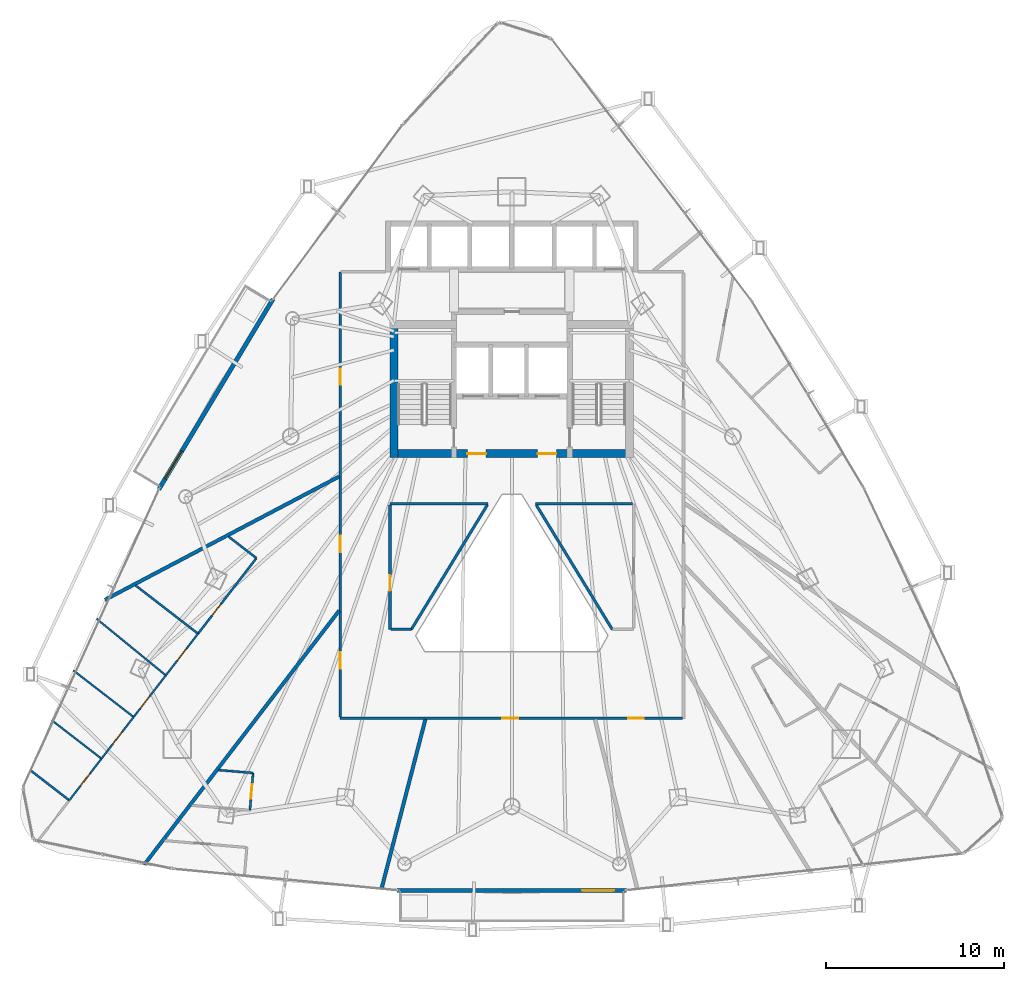
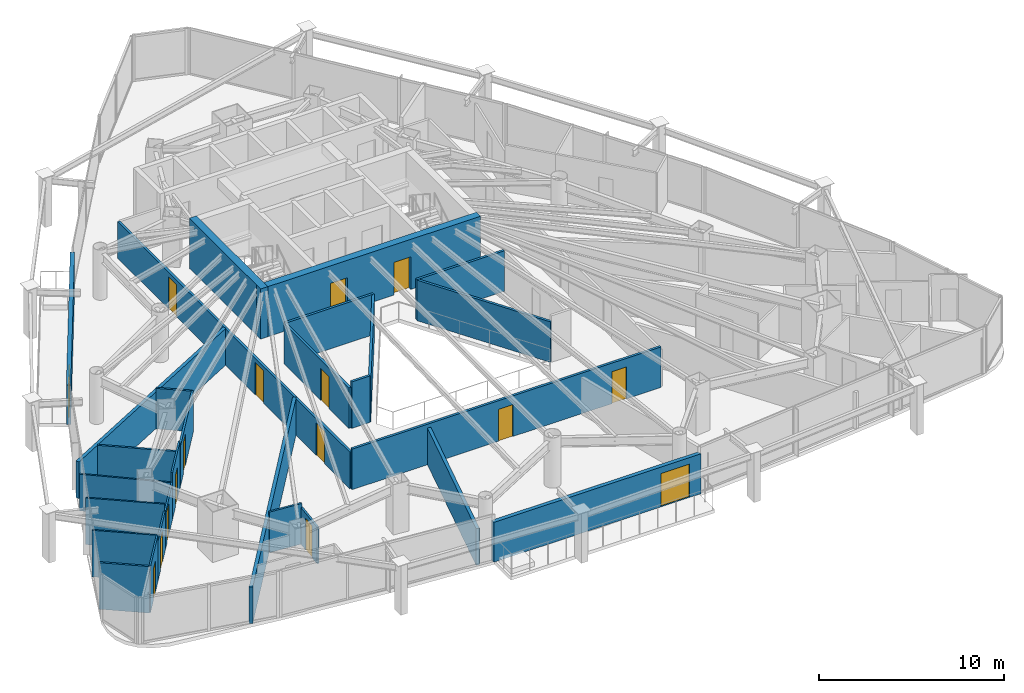
# One storey, part 29 of 34: 28 walls, 16 doors, 16 openings.
"""IFC4 building model written with IfcOpenShell, lengths in metres."""

import ifcopenshell
import ifcopenshell.guid

model = None  # the IFC model being written
_history = None  # IfcOwnerHistory: only IFC2X3 demands one
_inside = {}  # id of a spatial element -> (the spatial element, [elements in it])
_under = {}  # id of a project, library or spatial element -> (it, [spatial elements below it])
_declared = {}  # id of a project -> (the project, [libraries it declares])
_typed = {}  # id of a type object -> (the type object, [elements of that type])
_made_of = {}  # id of a material, layer set ... -> (it, [elements and type objects made of it])


def new_model(schema):
    """Start an empty IFC model of exactly this schema.

    Asked for "IFC4X3", IfcOpenShell would pick the latest addendum, in which some entities
    have other attributes; the version numbers below select the first issue.
    IFC2X3 requires an IfcOwnerHistory on every rooted entity: one is made here for all.
    """
    global model, _history
    if schema == "IFC4X3":
        model = ifcopenshell.file(schema_version=(4, 3, 0, 0))
    else:
        model = ifcopenshell.file(schema=schema)
    _inside.clear()
    _under.clear()
    _declared.clear()
    _typed.clear()
    _made_of.clear()
    _history = None
    if model.schema == "IFC2X3":
        org = make("IfcOrganization", Name="unknown")
        user = make(
            "IfcPersonAndOrganization",
            ThePerson=make("IfcPerson", FamilyName="unknown"),
            TheOrganization=org,
        )
        app = make(
            "IfcApplication",
            ApplicationDeveloper=org,
            Version="unknown",
            ApplicationFullName="unknown",
            ApplicationIdentifier="unknown",
        )
        _history = make(
            "IfcOwnerHistory",
            OwningUser=user,
            OwningApplication=app,
            ChangeAction="ADDED",
            CreationDate=0,
        )
    return model


def make(cls, **values):
    """One entity of the class cls with the attributes given. An attribute that is None is left unset."""
    return model.create_entity(
        cls, **{name: value for name, value in values.items() if value is not None}
    )


def rooted(cls, **values):
    """An entity with a GlobalId (a new one), such as an element, a storey or a relation."""
    return make(cls, GlobalId=ifcopenshell.guid.new(), OwnerHistory=_history, **values)


def si_unit(unit_type, name, prefix=None):
    """IfcSIUnit, for example si_unit("LENGTHUNIT", "METRE", prefix="MILLI")."""
    return make("IfcSIUnit", UnitType=unit_type, Prefix=prefix, Name=name)


def assignment(units):
    """IfcUnitAssignment: the units of a project."""
    return None if units is None else make("IfcUnitAssignment", Units=units)


def point(xyz):
    """IfcCartesianPoint."""
    return None if xyz is None else make("IfcCartesianPoint", Coordinates=xyz)


def direction(xyz):
    """IfcDirection."""
    return None if xyz is None else make("IfcDirection", DirectionRatios=xyz)


def frame(location, z_axis=None, x_axis=None):
    """IfcAxis2Placement3D, a coordinate frame: its origin and axes. An axis left out is left unset."""
    return make(
        "IfcAxis2Placement3D",
        Location=point(location),
        Axis=direction(z_axis),
        RefDirection=direction(x_axis),
    )


def frame_2d(location, x_axis=None):
    """IfcAxis2Placement2D, a coordinate frame in the plane: its origin and x axis."""
    return make(
        "IfcAxis2Placement2D", Location=point(location), RefDirection=direction(x_axis)
    )


def origin():
    """The frame at (0, 0, 0) with its axes left unset."""
    return frame((0.0, 0.0, 0.0))


def place(relative_to, where):
    """IfcLocalPlacement: puts the frame where relative to a parent placement (None: the world)."""
    return make(
        "IfcLocalPlacement", PlacementRelTo=relative_to, RelativePlacement=where
    )


def context(
    kind, dimensions, precision=None, world=None, true_north=None, identifier=None
):
    """IfcGeometricRepresentationContext, for example the 3D "Model" context."""
    return make(
        "IfcGeometricRepresentationContext",
        ContextIdentifier=identifier,
        ContextType=kind,
        CoordinateSpaceDimension=dimensions,
        Precision=precision,
        WorldCoordinateSystem=world,
        TrueNorth=true_north,
    )


def subcontext(parent, identifier, kind, view, scale=None):
    """IfcGeometricRepresentationSubContext, for example "Body" below "Model"."""
    return make(
        "IfcGeometricRepresentationSubContext",
        ContextIdentifier=identifier,
        ContextType=kind,
        ParentContext=parent,
        TargetScale=scale,
        TargetView=view,
    )


def project(units=None, contexts=None):
    """IfcProject with its units and contexts."""
    return rooted(
        "IfcProject",
        Name="project",
        RepresentationContexts=contexts,
        UnitsInContext=assignment(units),
    )


def spatial(cls, under=None, at=None, **own):
    """A site, building, storey or space (cls), placed at a placement, below another one or the project."""
    s = rooted(cls, ObjectPlacement=at, **own)
    if under is not None:
        _under.setdefault(under.id(), (under, []))[1].append(s)
    return s


def profile(cls, at=None, kind="AREA", **sizes):
    """A parametric profile (cls). Its sizes go by their IFC names, for example OverallWidth=200.0."""
    return make(cls, ProfileType=kind, Position=at, **sizes)


def rectangle(**sizes):
    """IfcRectangleProfileDef."""
    return profile("IfcRectangleProfileDef", **sizes)


def extrude(swept, where, along, depth):
    """IfcExtrudedAreaSolid: the profile swept, set in the frame where, extruded along a direction by depth."""
    return make(
        "IfcExtrudedAreaSolid",
        SweptArea=swept,
        Position=where,
        ExtrudedDirection=direction(along),
        Depth=depth,
    )


def shape(context_of_items, identifier, shape_type, items):
    """IfcShapeRepresentation: the items that make up one representation, for example the "Body"."""
    return make(
        "IfcShapeRepresentation",
        ContextOfItems=context_of_items,
        RepresentationIdentifier=identifier,
        RepresentationType=shape_type,
        Items=items,
    )


def material(Name=None, Category=None):
    """IfcMaterial."""
    return make("IfcMaterial", Name=Name, Category=Category)


def layer(
    of_material, thickness, ventilated=None, Name=None, Category=None, Priority=None
):
    """IfcMaterialLayer: one layer of a wall or slab, of a material (None: an air gap)."""
    return make(
        "IfcMaterialLayer",
        Material=of_material,
        LayerThickness=thickness,
        IsVentilated=ventilated,
        Name=Name,
        Category=Category,
        Priority=Priority,
    )


def layer_set(layers, Name=None):
    """IfcMaterialLayerSet."""
    return make("IfcMaterialLayerSet", MaterialLayers=layers, LayerSetName=Name)


def made_of(thing, what):
    """Note that an element or type object is made of a material, layer set ...; save() writes the relation."""
    if what is not None:
        _made_of.setdefault(what.id(), (what, []))[1].append(thing)
    return thing


def type_object(cls, material=None, **own):
    """A type object (cls), such as IfcWallType, which elements share."""
    return made_of(rooted(cls, **own), material)


def element(
    cls,
    number,
    at=None,
    inside=None,
    cuts=None,
    type_object=None,
    material=None,
    context=None,
    identifier="Body",
    shape_type=None,
    held_by="IfcProductDefinitionShape",
    body=None,
    shapes=None,
    **own,
):
    """One element of the class cls, such as IfcWall. Its Tag is "e" and its number.

    at: its placement. inside: the storey or other place that contains it. cuts: it is an
    opening in that element (IfcRelVoidsElement). A single representation is given by context,
    identifier, shape_type and body (its items); several are given by shapes. held_by: the class
    of the entity that holds the representations. save() writes the other relations.
    """
    e = rooted(cls, Tag="e%d" % number, ObjectPlacement=at, **own)
    if body is not None:
        shapes = [shape(context, identifier, shape_type, body)]
    if shapes is not None:
        e.Representation = make(held_by, Representations=shapes)
    if inside is not None:
        _inside.setdefault(inside.id(), (inside, []))[1].append(e)
    if cuts is not None:
        rooted(
            "IfcRelVoidsElement", RelatingBuildingElement=cuts, RelatedOpeningElement=e
        )
    if type_object is not None:
        _typed.setdefault(type_object.id(), (type_object, []))[1].append(e)
    return made_of(e, material)


def fill(opening, filler):
    """IfcRelFillsElement: the door or window that sits in an opening."""
    return rooted(
        "IfcRelFillsElement",
        RelatingOpeningElement=opening,
        RelatedBuildingElement=filler,
    )


def aggregate(whole, parts):
    """IfcRelAggregates: a whole, such as a stair, and the parts it consists of."""
    return rooted("IfcRelAggregates", RelatingObject=whole, RelatedObjects=parts)


def save(model, path):
    """Write the relations noted so far, then the file.

    IfcRelAggregates (storeys below a building ...), IfcRelContainedInSpatialStructure (elements
    in a storey), IfcRelDefinesByType, IfcRelAssociatesMaterial and IfcRelDeclares: one each for
    every whole, place, type object, material and project.
    """
    for whole, parts in _under.values():
        aggregate(whole, parts)
    for where, things in _inside.values():
        rooted(
            "IfcRelContainedInSpatialStructure",
            RelatedElements=things,
            RelatingStructure=where,
        )
    for kind, things in _typed.values():
        rooted("IfcRelDefinesByType", RelatedObjects=things, RelatingType=kind)
    for what, things in _made_of.values():
        rooted("IfcRelAssociatesMaterial", RelatedObjects=things, RelatingMaterial=what)
    for by, libraries in _declared.values():
        rooted("IfcRelDeclares", RelatingContext=by, RelatedDefinitions=libraries)
    model.write(path)


model = new_model("IFC4")

# Units and contexts
model_context = context("Model", 3, precision=1e-05, world=origin(), true_north=direction((0.0, 1.0)))
body_context = subcontext(model_context, "Body", "Model", "MODEL_VIEW")
ifc_project = project(units=[si_unit("LENGTHUNIT", "METRE"), si_unit("AREAUNIT", "SQUARE_METRE"), si_unit("VOLUMEUNIT", "CUBIC_METRE"), si_unit("PLANEANGLEUNIT", "RADIAN"), si_unit("MASSUNIT", "GRAM", prefix="KILO")], contexts=[model_context])

# Site, building, storey
site_placement = place(None, origin())
site = spatial("IfcSite", under=ifc_project, at=site_placement, CompositionType="ELEMENT")
building_placement = place(site_placement, origin())
building = spatial("IfcBuilding", under=site, at=building_placement, Name="Orvanel Arch Residences", CompositionType="ELEMENT")
storey_placement = place(building_placement, frame((0.0, 0.0, 80.75)))
storey = spatial("IfcBuildingStorey", under=building, at=storey_placement, Name="L22", CompositionType="ELEMENT", Elevation=80.75)

# Wall, opening, door
ifc_material_1 = material(Name="Precast concrete N50 (50 MPa)", Category="concrete")
ifc_layer_1 = layer(ifc_material_1, 0.239990234375)
ifc_layer_set_1 = layer_set([ifc_layer_1], Name="Precast concrete N50 (50 MPa)")
wall_type_1 = type_object("IfcWallType", Name="EW-BAL-240", PredefinedType="SOLIDWALL", material=ifc_layer_set_1)
wall_1_placement = place(storey_placement, frame((19.575927734375, 35.3701171875, 0.0), z_axis=(0.0, 0.0, 1.0), x_axis=(-0.514331693128, -0.85759134175, 0.0)))
wall_1 = element("IfcWall", 1, at=wall_1_placement, inside=storey, type_object=wall_type_1, Name="L22 Balcony Threshold Wall Face 1", PredefinedType="SOLIDWALL", context=body_context, shape_type="SweptSolid", body=[
    extrude(rectangle(XDim=12.474365234375, YDim=0.239990234375, at=frame_2d((6.2373046875, 0.0))), origin(), (0.0, 0.0, 1.0), 2.6240234375),
])
opening_1_placement = place(wall_1_placement, frame((9.97705078125, 0.0, 0.0)))
opening_1 = element("IfcOpeningElement", 2, at=opening_1_placement, cuts=wall_1, Name="Opening DB-180", PredefinedType="OPENING", context=body_context, shape_type="SweptSolid", body=[
    extrude(rectangle(XDim=1.800048828125, YDim=2.199951171875, at=frame_2d((0.89990234375, 1.10009765625))), frame((0.0, 0.1298828125, 0.0), z_axis=(0.0, -1.0, 0.0), x_axis=(1.0, 0.0, 0.0)), (0.0, 0.0, 1.0), 0.260009765625),
])
ifc_material_2 = material(Name="Bronze-anodised aluminium AA6063-T6", Category="aluminium")
door_type_1 = type_object("IfcDoorType", Name="DR-BAL-1800", OperationType="NOTDEFINED", PredefinedType="DOOR", material=ifc_material_2)
door_1_placement = place(opening_1_placement, origin())
door_1 = element("IfcDoor", 3, at=door_1_placement, inside=storey, type_object=door_type_1, Name="DR-L22-BAL-F1 L22 Planted Balcony Access Door Face 1", OperationType="SINGLE_SWING_LEFT", OverallHeight=2.199951171875, OverallWidth=1.800048828125, PredefinedType="DOOR", context=body_context, shape_type="SweptSolid", body=[
    extrude(rectangle(XDim=1.800048828125, YDim=2.199951171875, at=frame_2d((0.89990234375, 1.10009765625))), frame((0.0, 0.02490234375, 0.0), z_axis=(0.0, -1.0, 0.0), x_axis=(1.0, 0.0, 0.0)), (0.0, 0.0, 1.0), 0.050048828125),
])
fill(opening_1, door_1)

wall_2_placement = place(storey_placement, frame((26.553955078125, 2.117919921875, 0.0), z_axis=(0.0, 0.0, 1.0), x_axis=(1.0, 0.0, 0.0)))
wall_2 = element("IfcWall", 4, at=wall_2_placement, inside=storey, type_object=wall_type_1, Name="L22 Balcony Threshold Wall Face 2", PredefinedType="SOLIDWALL", context=body_context, shape_type="SweptSolid", body=[
    extrude(rectangle(XDim=12.89111328125, YDim=0.239990234375, at=frame_2d((6.445556640625, 0.0))), origin(), (0.0, 0.0, 1.0), 2.6240234375),
])
opening_2_placement = place(wall_2_placement, frame((10.39306640625, 0.0, 0.0)))
opening_2 = element("IfcOpeningElement", 5, at=opening_2_placement, cuts=wall_2, Name="Opening DB-180", PredefinedType="OPENING", context=body_context, shape_type="SweptSolid", body=[
    extrude(rectangle(XDim=1.800048828125, YDim=2.199951171875, at=frame_2d((0.89990234375, 1.10009765625))), frame((0.0, 0.1298828125, 0.0), z_axis=(0.0, -1.0, 0.0), x_axis=(1.0, 0.0, 0.0)), (0.0, 0.0, 1.0), 0.260009765625),
])
door_2_placement = place(opening_2_placement, origin())
door_2 = element("IfcDoor", 6, at=door_2_placement, inside=storey, type_object=door_type_1, Name="DR-L22-BAL-F2 L22 Planted Balcony Access Door Face 2", OperationType="SINGLE_SWING_RIGHT", OverallHeight=2.199951171875, OverallWidth=1.800048828125, PredefinedType="DOOR", context=body_context, shape_type="SweptSolid", body=[
    extrude(rectangle(XDim=1.800048828125, YDim=2.199951171875, at=frame_2d((0.89990234375, 1.10009765625))), frame((0.0, 0.02490234375, 0.0), z_axis=(0.0, -1.0, 0.0), x_axis=(1.0, 0.0, 0.0)), (0.0, 0.0, 1.0), 0.050048828125),
])
fill(opening_2, door_2)

# Wall, openings, doors
ifc_material_3 = material(Name="Concrete S80 (80 MPa)", Category="concrete")
ifc_layer_2 = layer(ifc_material_3, 0.449951171875)
ifc_layer_set_2 = layer_set([ifc_layer_2], Name="Concrete S80 (80 MPa)")
wall_type_2 = type_object("IfcWallType", Name="SW-CORE-450", PredefinedType="SHEAR", material=ifc_layer_set_2)
wall_3_placement = place(storey_placement, frame((26.14990234375, 26.675048828125, 0.0), z_axis=(0.0, 0.0, 1.0), x_axis=(1.0, 0.0, 0.0)))
wall_3 = element("IfcWall", 7, at=wall_3_placement, inside=storey, type_object=wall_type_2, Name="L22 South Core Shear Wall", PredefinedType="SHEAR", context=body_context, shape_type="SweptSolid", body=[
    extrude(rectangle(XDim=13.7001953125, YDim=0.449951171875, at=frame_2d((6.85009765625, 0.0))), origin(), (0.0, 0.0, 1.0), 3.300048828125),
])
opening_3_placement = place(wall_3_placement, frame((4.35009765625, 0.0, 0.0)))
opening_3 = element("IfcOpeningElement", 8, at=opening_3_placement, cuts=wall_3, Name="Opening DF-060", PredefinedType="OPENING", context=body_context, shape_type="SweptSolid", body=[
    extrude(rectangle(XDim=1.050048828125, YDim=2.14990234375, at=frame_2d((0.52490234375, 1.074951171875))), frame((0.0, 0.23486328125, 0.0), z_axis=(0.0, -1.0, 0.0), x_axis=(1.0, 0.0, 0.0)), (0.0, 0.0, 1.0), 0.469970703125),
])
opening_4_placement = place(wall_3_placement, frame((8.300048828125, 0.0, 0.0)))
opening_4 = element("IfcOpeningElement", 9, at=opening_4_placement, cuts=wall_3, Name="Opening DF-060", PredefinedType="OPENING", context=body_context, shape_type="SweptSolid", body=[
    extrude(rectangle(XDim=1.050048828125, YDim=2.14990234375, at=frame_2d((0.52490234375, 1.074951171875))), frame((0.0, 0.23486328125, 0.0), z_axis=(0.0, -1.0, 0.0), x_axis=(1.0, 0.0, 0.0)), (0.0, 0.0, 1.0), 0.469970703125),
])
ifc_material_4 = material(Name="Galvanised steel fire-resisting door assembly", Category="steel")
door_type_2 = type_object("IfcDoorType", Name="DR-FD60-1050", OperationType="NOTDEFINED", PredefinedType="DOOR", material=ifc_material_4)
door_3_placement = place(opening_3_placement, origin())
door_3 = element("IfcDoor", 10, at=door_3_placement, inside=storey, type_object=door_type_2, Name="DR-L22-FFL-W L22 West Smoke Lobby Door", OperationType="SINGLE_SWING_LEFT", OverallHeight=2.14990234375, OverallWidth=1.050048828125, PredefinedType="DOOR", context=body_context, shape_type="SweptSolid", body=[
    extrude(rectangle(XDim=1.050048828125, YDim=2.14990234375, at=frame_2d((0.52490234375, 1.074951171875))), frame((0.0, 0.02490234375, 0.0), z_axis=(0.0, -1.0, 0.0), x_axis=(1.0, 0.0, 0.0)), (0.0, 0.0, 1.0), 0.050048828125),
])
fill(opening_3, door_3)
door_4_placement = place(opening_4_placement, origin())
door_4 = element("IfcDoor", 11, at=door_4_placement, inside=storey, type_object=door_type_2, Name="DR-L22-FFL-E L22 East Smoke Lobby Door", OperationType="SINGLE_SWING_RIGHT", OverallHeight=2.14990234375, OverallWidth=1.050048828125, PredefinedType="DOOR", context=body_context, shape_type="SweptSolid", body=[
    extrude(rectangle(XDim=1.050048828125, YDim=2.14990234375, at=frame_2d((0.52490234375, 1.074951171875))), frame((0.0, 0.02490234375, 0.0), z_axis=(0.0, -1.0, 0.0), x_axis=(1.0, 0.0, 0.0)), (0.0, 0.0, 1.0), 0.050048828125),
])
fill(opening_4, door_4)

# Wall
wall_4_placement = place(storey_placement, frame((26.375, 26.449951171875, 0.0), z_axis=(0.0, 0.0, 1.0), x_axis=(0.0, 1.0, 0.0)))
element("IfcWall", 12, at=wall_4_placement, inside=storey, type_object=wall_type_2, Name="L22 West Stair Shear Wall", PredefinedType="SHEAR", context=body_context, shape_type="SweptSolid", body=[
    extrude(rectangle(XDim=7.699951171875, YDim=0.449951171875, at=frame_2d((3.85009765625, 0.0))), origin(), (0.0, 0.0, 1.0), 3.300048828125),
])

# Wall, openings, doors
ifc_material_5 = material(Name="Fire-rated plasterboard lined steel stud partition", Category="steel")
ifc_layer_3 = layer(ifc_material_5, 0.14990234375)
ifc_layer_set_3 = layer_set([ifc_layer_3], Name="Fire-rated plasterboard lined steel stud partition")
wall_type_3 = type_object("IfcWallType", Name="W-COR-150", PredefinedType="PARTITIONING", material=ifc_layer_set_3)
wall_5_placement = place(storey_placement, frame((42.590087890625, 11.800048828125, 0.0), z_axis=(0.0, 0.0, 1.0), x_axis=(-1.0, 0.0, 0.0)))
wall_5 = element("IfcWall", 13, at=wall_5_placement, inside=storey, type_object=wall_type_3, Name="L22 Corridor Fire-Rated Partition", PredefinedType="PARTITIONING", context=body_context, shape_type="SweptSolid", body=[
    extrude(rectangle(XDim=19.239990234375, YDim=0.14990234375, at=frame_2d((9.6201171875, 0.0))), origin(), (0.0, 0.0, 1.0), 2.6689453125),
])
opening_5_placement = place(wall_5_placement, frame((9.239990234375, 0.0, 0.0)))
opening_5 = element("IfcOpeningElement", 14, at=opening_5_placement, cuts=wall_5, Name="Opening DI-088", PredefinedType="OPENING", context=body_context, shape_type="SweptSolid", body=[
    extrude(rectangle(XDim=0.8798828125, YDim=2.10009765625, at=frame_2d((0.43994140625, 1.050048828125))), frame((0.0, 0.0849609375, 0.0), z_axis=(0.0, -1.0, 0.0), x_axis=(1.0, 0.0, 0.0)), (0.0, 0.0, 1.0), 0.169921875),
])
opening_6_placement = place(wall_5_placement, frame((2.174072265625, 0.0, 0.0)))
opening_6 = element("IfcOpeningElement", 15, at=opening_6_placement, cuts=wall_5, Name="Opening DI-088", PredefinedType="OPENING", context=body_context, shape_type="SweptSolid", body=[
    extrude(rectangle(XDim=0.8798828125, YDim=2.10009765625, at=frame_2d((0.43994140625, 1.050048828125))), frame((0.0, 0.0849609375, 0.0), z_axis=(0.0, -1.0, 0.0), x_axis=(1.0, 0.0, 0.0)), (0.0, 0.0, 1.0), 0.169921875),
])
ifc_material_6 = material(Name="Solid-core European oak veneer fire door leaf", Category="wood")
door_type_3 = type_object("IfcDoorType", Name="DR-INT-880", OperationType="NOTDEFINED", PredefinedType="DOOR", material=ifc_material_6)
door_5_placement = place(opening_5_placement, origin())
door_5 = element("IfcDoor", 16, at=door_5_placement, inside=storey, type_object=door_type_3, Name="DR-L22-SHRD-FB5 L22 Co-Working Study Office E Door", OperationType="SINGLE_SWING_LEFT", OverallHeight=2.10009765625, OverallWidth=0.8798828125, PredefinedType="DOOR", context=body_context, shape_type="SweptSolid", body=[
    extrude(rectangle(XDim=0.8798828125, YDim=2.10009765625, at=frame_2d((0.43994140625, 1.050048828125))), frame((0.0, 0.02490234375, 0.0), z_axis=(0.0, -1.0, 0.0), x_axis=(1.0, 0.0, 0.0)), (0.0, 0.0, 1.0), 0.050048828125),
])
fill(opening_5, door_5)
door_6_placement = place(opening_6_placement, origin())
door_6 = element("IfcDoor", 17, at=door_6_placement, inside=storey, type_object=door_type_3, Name="DR-L22-SHRD-FB8 L22 Co-Working Study Office H Door", OperationType="SINGLE_SWING_LEFT", OverallHeight=2.10009765625, OverallWidth=0.8798828125, PredefinedType="DOOR", context=body_context, shape_type="SweptSolid", body=[
    extrude(rectangle(XDim=0.8798828125, YDim=2.10009765625, at=frame_2d((0.43994140625, 1.050048828125))), frame((0.0, 0.02490234375, 0.0), z_axis=(0.0, -1.0, 0.0), x_axis=(1.0, 0.0, 0.0)), (0.0, 0.0, 1.0), 0.050048828125),
])
fill(opening_6, door_6)

wall_6_placement = place(storey_placement, frame((23.35009765625, 11.860107421875, 0.0), z_axis=(0.0, 0.0, 1.0), x_axis=(0.0, 1.0, 0.0)))
wall_6 = element("IfcWall", 18, at=wall_6_placement, inside=storey, type_object=wall_type_3, Name="L22 Corridor Fire-Rated Partition", PredefinedType="PARTITIONING", context=body_context, shape_type="SweptSolid", body=[
    extrude(rectangle(XDim=25.039794921875, YDim=0.14990234375, at=frame_2d((12.52001953125, 0.0))), origin(), (0.0, 0.0, 1.0), 2.4130859375),
])
opening_7_placement = place(wall_6_placement, frame((18.695068359375, 0.0, 0.0)))
opening_7 = element("IfcOpeningElement", 19, at=opening_7_placement, cuts=wall_6, Name="Opening DI-088", PredefinedType="OPENING", context=body_context, shape_type="SweptSolid", body=[
    extrude(rectangle(XDim=0.8798828125, YDim=2.10009765625, at=frame_2d((0.43994140625, 1.050048828125))), frame((0.0, 0.0849609375, 0.0), z_axis=(0.0, -1.0, 0.0), x_axis=(1.0, 0.0, 0.0)), (0.0, 0.0, 1.0), 0.169921875),
])
opening_8_placement = place(wall_6_placement, frame((9.280029296875, 0.0, 0.0)))
opening_8 = element("IfcOpeningElement", 20, at=opening_8_placement, cuts=wall_6, Name="Opening DA-092", PredefinedType="OPENING", context=body_context, shape_type="SweptSolid", body=[
    extrude(rectangle(XDim=0.919921875, YDim=2.14990234375, at=frame_2d((0.4599609375, 1.074951171875))), frame((0.0, 0.0849609375, 0.0), z_axis=(0.0, -1.0, 0.0), x_axis=(1.0, 0.0, 0.0)), (0.0, 0.0, 1.0), 0.169921875),
])
opening_9_placement = place(wall_6_placement, frame((2.721923828125, 0.0, 0.0)))
opening_9 = element("IfcOpeningElement", 21, at=opening_9_placement, cuts=wall_6, Name="Opening DA-092", PredefinedType="OPENING", context=body_context, shape_type="SweptSolid", body=[
    extrude(rectangle(XDim=0.919921875, YDim=2.14990234375, at=frame_2d((0.4599609375, 1.074951171875))), frame((0.0, 0.0849609375, 0.0), z_axis=(0.0, -1.0, 0.0), x_axis=(1.0, 0.0, 0.0)), (0.0, 0.0, 1.0), 0.169921875),
])
door_type_4 = type_object("IfcDoorType", Name="DR-APT-920", OperationType="NOTDEFINED", PredefinedType="DOOR", material=ifc_material_6)
door_7_placement = place(opening_8_placement, origin())
door_7 = element("IfcDoor", 22, at=door_7_placement, inside=storey, type_object=door_type_4, Name="DR-L22-B-ENT L22 Flat B Entrance Door", OperationType="SINGLE_SWING_LEFT", OverallHeight=2.14990234375, OverallWidth=0.919921875, PredefinedType="DOOR", context=body_context, shape_type="SweptSolid", body=[
    extrude(rectangle(XDim=0.919921875, YDim=2.14990234375, at=frame_2d((0.4599609375, 1.074951171875))), frame((0.0, 0.02490234375, 0.0), z_axis=(0.0, -1.0, 0.0), x_axis=(1.0, 0.0, 0.0)), (0.0, 0.0, 1.0), 0.050048828125),
])
fill(opening_8, door_7)
door_8_placement = place(opening_9_placement, origin())
door_8 = element("IfcDoor", 23, at=door_8_placement, inside=storey, type_object=door_type_4, Name="DR-L22-D-ENT L22 Studio D Entrance Door", OperationType="SINGLE_SWING_LEFT", OverallHeight=2.14990234375, OverallWidth=0.919921875, PredefinedType="DOOR", context=body_context, shape_type="SweptSolid", body=[
    extrude(rectangle(XDim=0.919921875, YDim=2.14990234375, at=frame_2d((0.4599609375, 1.074951171875))), frame((0.0, 0.02490234375, 0.0), z_axis=(0.0, -1.0, 0.0), x_axis=(1.0, 0.0, 0.0)), (0.0, 0.0, 1.0), 0.050048828125),
])
fill(opening_9, door_8)
door_9_placement = place(opening_7_placement, origin())
door_9 = element("IfcDoor", 24, at=door_9_placement, inside=storey, type_object=door_type_3, Name="DR-L22-SHRD-FB1 L22 Co-Working Study Office A Door", OperationType="SINGLE_SWING_LEFT", OverallHeight=2.10009765625, OverallWidth=0.8798828125, PredefinedType="DOOR", context=body_context, shape_type="SweptSolid", body=[
    extrude(rectangle(XDim=0.8798828125, YDim=2.10009765625, at=frame_2d((0.43994140625, 1.050048828125))), frame((0.0, 0.02490234375, 0.0), z_axis=(0.0, -1.0, 0.0), x_axis=(1.0, 0.0, 0.0)), (0.0, 0.0, 1.0), 0.050048828125),
])
fill(opening_7, door_9)

# Wall
wall_7_placement = place(storey_placement, frame((31.659912109375, 23.85009765625, 0.0), z_axis=(0.0, 0.0, 1.0), x_axis=(-1.0, 0.0, 0.0)))
element("IfcWall", 25, at=wall_7_placement, inside=storey, type_object=wall_type_3, Name="L22 Corridor Fire-Rated Partition", PredefinedType="PARTITIONING", context=body_context, shape_type="SweptSolid", body=[
    extrude(rectangle(XDim=5.510009765625, YDim=0.14990234375, at=frame_2d((2.7548828125, 0.0))), origin(), (0.0, 0.0, 1.0), 2.6689453125),
])

# Wall, opening, door
wall_8_placement = place(storey_placement, frame((26.14990234375, 23.7900390625, 0.0), z_axis=(0.0, 0.0, 1.0), x_axis=(0.0, -1.0, 0.0)))
wall_8 = element("IfcWall", 26, at=wall_8_placement, inside=storey, type_object=wall_type_3, Name="L22 Corridor Fire-Rated Partition", PredefinedType="PARTITIONING", context=body_context, shape_type="SweptSolid", body=[
    extrude(rectangle(XDim=6.989990234375, YDim=0.14990234375, at=frame_2d((3.4951171875, 0.0))), origin(), (0.0, 0.0, 1.0), 2.6689453125),
])
opening_10_placement = place(wall_8_placement, frame((3.943115234375, 0.0, 0.0)))
opening_10 = element("IfcOpeningElement", 27, at=opening_10_placement, cuts=wall_8, Name="Opening DI-088", PredefinedType="OPENING", context=body_context, shape_type="SweptSolid", body=[
    extrude(rectangle(XDim=0.8798828125, YDim=2.10009765625, at=frame_2d((0.43994140625, 1.050048828125))), frame((0.0, 0.0849609375, 0.0), z_axis=(0.0, -1.0, 0.0), x_axis=(1.0, 0.0, 0.0)), (0.0, 0.0, 1.0), 0.169921875),
])
door_10_placement = place(opening_10_placement, origin())
door_10 = element("IfcDoor", 28, at=door_10_placement, inside=storey, type_object=door_type_3, Name="DR-L22-SHRD-FB10 L22 Co-Working Study Office J Door", OperationType="SINGLE_SWING_LEFT", OverallHeight=2.10009765625, OverallWidth=0.8798828125, PredefinedType="DOOR", context=body_context, shape_type="SweptSolid", body=[
    extrude(rectangle(XDim=0.8798828125, YDim=2.10009765625, at=frame_2d((0.43994140625, 1.050048828125))), frame((0.0, 0.02490234375, 0.0), z_axis=(0.0, -1.0, 0.0), x_axis=(1.0, 0.0, 0.0)), (0.0, 0.0, 1.0), 0.050048828125),
])
fill(opening_10, door_10)

# Walls
wall_9_placement = place(storey_placement, frame((26.2099609375, 16.800048828125, 0.0), z_axis=(0.0, 0.0, 1.0), x_axis=(1.0, 0.0, 0.0)))
element("IfcWall", 29, at=wall_9_placement, inside=storey, type_object=wall_type_3, Name="L22 Corridor Fire-Rated Partition", PredefinedType="PARTITIONING", context=body_context, shape_type="SweptSolid", body=[
    extrude(rectangle(XDim=1.14013671875, YDim=0.14990234375, at=frame_2d((0.570068359375, 0.0))), origin(), (0.0, 0.0, 1.0), 3.06005859375),
])
wall_10_placement = place(storey_placement, frame((39.7900390625, 23.85009765625, 0.0), z_axis=(0.0, 0.0, 1.0), x_axis=(-1.0, 0.0, 0.0)))
element("IfcWall", 30, at=wall_10_placement, inside=storey, type_object=wall_type_3, Name="L22 Corridor Fire-Rated Partition", PredefinedType="PARTITIONING", context=body_context, shape_type="SweptSolid", body=[
    extrude(rectangle(XDim=5.449951171875, YDim=0.14990234375, at=frame_2d((2.72509765625, 0.0))), origin(), (0.0, 0.0, 1.0), 2.6689453125),
])
for number, where, z_axis, x_axis, name in (
    (31, (27.35009765625, 16.7900390625, 0.0), (0.0, 0.0, 1.0), (0.521108010454, 0.853490738931, 0.0), "L22 Atrium Overlook Glazed Partition"),
    (32, (34.3759765625, 23.7900390625, 0.0), (0.0, 0.0, 1.0), (0.521108010454, -0.853490738931, 0.0), "L22 Atrium Overlook Glazed Partition"),
):
    element("IfcWall", number, at=place(storey_placement, frame(where, z_axis=z_axis, x_axis=x_axis)), inside=storey, type_object=wall_type_3, Name=name, PredefinedType="PARTITIONING", context=body_context, shape_type="SweptSolid", body=[
        extrude(rectangle(XDim=8.20166015625, YDim=0.14990234375, at=frame_2d((4.100830078125, 0.0))), origin(), (0.0, 0.0, 1.0), 2.6689453125),
    ])
ifc_layer_4 = layer(ifc_material_5, 0.199951171875)
ifc_layer_set_4 = layer_set([ifc_layer_4], Name="Fire-rated plasterboard lined steel stud partition")
wall_type_4 = type_object("IfcWallType", Name="W-DEM-200", PredefinedType="PARTITIONING", material=ifc_layer_set_4)
wall_11_placement = place(storey_placement, frame((23.2900390625, 25.386962890625, 0.0), z_axis=(0.0, 0.0, 1.0), x_axis=(-0.884824599801, -0.465924272373, 0.0)))
element("IfcWall", 33, at=wall_11_placement, inside=storey, type_object=wall_type_4, Name="L22 Inter-Tenancy Acoustic Demising Wall", PredefinedType="PARTITIONING", context=body_context, shape_type="SweptSolid", body=[
    extrude(rectangle(XDim=14.8798828125, YDim=0.199951171875, at=frame_2d((7.43994140625, 0.0))), origin(), (0.0, 0.0, 1.0), 2.4130859375),
])
wall_12_placement = place(storey_placement, frame((23.2900390625, 17.845947265625, 0.0), z_axis=(0.0, 0.0, 1.0), x_axis=(-0.608736412859, -0.793372535232, 0.0)))
element("IfcWall", 34, at=wall_12_placement, inside=storey, type_object=wall_type_4, Name="L22 Inter-Tenancy Acoustic Demising Wall", PredefinedType="PARTITIONING", context=body_context, shape_type="SweptSolid", body=[
    extrude(rectangle(XDim=18.0029296875, YDim=0.199951171875, at=frame_2d((9.00146484375, 0.0))), origin(), (0.0, 0.0, 1.0), 2.4130859375),
])
wall_13_placement = place(storey_placement, frame((28.14208984375, 11.739990234375, 0.0), z_axis=(0.0, 0.0, 1.0), x_axis=(-0.250654087156, -0.968076716274, 0.0)))
element("IfcWall", 35, at=wall_13_placement, inside=storey, type_object=wall_type_4, Name="L22 Inter-Tenancy Acoustic Demising Wall", PredefinedType="PARTITIONING", context=body_context, shape_type="SweptSolid", body=[
    extrude(rectangle(XDim=9.84619140625, YDim=0.199951171875, at=frame_2d((4.923095703125, 0.0))), origin(), (0.0, 0.0, 1.0), 2.4130859375),
])

# Wall, opening, door
ifc_material_7 = material(Name="Acoustic plasterboard lined twin-stud partition", Category="gypsum")
ifc_layer_5 = layer(ifc_material_7, 0.10009765625)
ifc_layer_set_5 = layer_set([ifc_layer_5], Name="Acoustic plasterboard lined twin-stud partition")
wall_type_5 = type_object("IfcWallType", Name="W-INT-100", PredefinedType="PARTITIONING", material=ifc_layer_set_5)
wall_14_placement = place(storey_placement, frame((11.740966796875, 11.8701171875, 0.0), z_axis=(0.0, 0.0, 1.0), x_axis=(0.61134418085, 0.791364828976, 0.0)))
wall_14 = element("IfcWall", 36, at=wall_14_placement, inside=storey, type_object=wall_type_5, Name="L22 Flat B Internal Partition", PredefinedType="PARTITIONING", context=body_context, shape_type="SweptSolid", body=[
    extrude(rectangle(XDim=2.959228515625, YDim=0.10009765625, at=frame_2d((1.4794921875, 0.0))), origin(), (0.0, 0.0, 1.0), 2.4130859375),
])
opening_11_placement = place(wall_14_placement, frame((0.60791015625, 0.0, 0.0)))
opening_11 = element("IfcOpeningElement", 37, at=opening_11_placement, cuts=wall_14, Name="Opening DI-088", PredefinedType="OPENING", context=body_context, shape_type="SweptSolid", body=[
    extrude(rectangle(XDim=0.8798828125, YDim=2.10009765625, at=frame_2d((0.43994140625, 1.050048828125))), frame((0.0, 0.06005859375, 0.0), z_axis=(0.0, -1.0, 0.0), x_axis=(1.0, 0.0, 0.0)), (0.0, 0.0, 1.0), 0.1201171875),
])
door_11_placement = place(opening_11_placement, origin())
door_11 = element("IfcDoor", 38, at=door_11_placement, inside=storey, type_object=door_type_3, Name="DR-L22-B-BED1 L22 Flat B Bedroom 1 Door", OperationType="SINGLE_SWING_LEFT", OverallHeight=2.10009765625, OverallWidth=0.8798828125, PredefinedType="DOOR", context=body_context, shape_type="SweptSolid", body=[
    extrude(rectangle(XDim=0.8798828125, YDim=2.10009765625, at=frame_2d((0.43994140625, 1.050048828125))), frame((0.0, 0.02490234375, 0.0), z_axis=(0.0, -1.0, 0.0), x_axis=(1.0, 0.0, 0.0)), (0.0, 0.0, 1.0), 0.050048828125),
])
fill(opening_11, door_11)

wall_15_placement = place(storey_placement, frame((13.550048828125, 14.2119140625, 0.0), z_axis=(0.0, 0.0, 1.0), x_axis=(0.611510880037, 0.791236022686, 0.0)))
wall_15 = element("IfcWall", 39, at=wall_15_placement, inside=storey, type_object=wall_type_5, Name="L22 Flat B Internal Partition", PredefinedType="PARTITIONING", context=body_context, shape_type="SweptSolid", body=[
    extrude(rectangle(XDim=2.9599609375, YDim=0.10009765625, at=frame_2d((1.47998046875, 0.0))), origin(), (0.0, 0.0, 1.0), 3.06005859375),
])
opening_12_placement = place(wall_15_placement, frame((1.070068359375, 0.0, 0.0)))
opening_12 = element("IfcOpeningElement", 40, at=opening_12_placement, cuts=wall_15, Name="Opening DW-082", PredefinedType="OPENING", context=body_context, shape_type="SweptSolid", body=[
    extrude(rectangle(XDim=0.820068359375, YDim=2.10009765625, at=frame_2d((0.41015625, 1.050048828125))), frame((0.0, 0.06005859375, 0.0), z_axis=(0.0, -1.0, 0.0), x_axis=(1.0, 0.0, 0.0)), (0.0, 0.0, 1.0), 0.1201171875),
])
door_type_5 = type_object("IfcDoorType", Name="DR-WET-820", OperationType="NOTDEFINED", PredefinedType="DOOR", material=ifc_material_6)
door_12_placement = place(opening_12_placement, origin())
door_12 = element("IfcDoor", 41, at=door_12_placement, inside=storey, type_object=door_type_5, Name="DR-L22-B-LAU2 L22 Flat B Apartment Laundry Room 1 Door", OperationType="SINGLE_SWING_LEFT", OverallHeight=2.10009765625, OverallWidth=0.820068359375, PredefinedType="DOOR", context=body_context, shape_type="SweptSolid", body=[
    extrude(rectangle(XDim=0.820068359375, YDim=2.10009765625, at=frame_2d((0.41015625, 1.050048828125))), frame((0.0, 0.02490234375, 0.0), z_axis=(0.0, -1.0, 0.0), x_axis=(1.0, 0.0, 0.0)), (0.0, 0.0, 1.0), 0.050048828125),
])
fill(opening_12, door_12)

wall_16_placement = place(storey_placement, frame((9.931884765625, 9.528076171875, 0.0), z_axis=(0.0, 0.0, 1.0), x_axis=(0.611304268233, 0.791395660615, 0.0)))
wall_16 = element("IfcWall", 42, at=wall_16_placement, inside=storey, type_object=wall_type_5, Name="L22 Flat B Internal Partition", PredefinedType="PARTITIONING", context=body_context, shape_type="SweptSolid", body=[
    extrude(rectangle(XDim=2.95947265625, YDim=0.10009765625, at=frame_2d((1.479736328125, 0.0))), origin(), (0.0, 0.0, 1.0), 2.618896484375),
])
opening_13_placement = place(wall_16_placement, frame((1.070068359375, 0.0, 0.0)))
opening_13 = element("IfcOpeningElement", 43, at=opening_13_placement, cuts=wall_16, Name="Opening DW-082", PredefinedType="OPENING", context=body_context, shape_type="SweptSolid", body=[
    extrude(rectangle(XDim=0.820068359375, YDim=2.10009765625, at=frame_2d((0.41015625, 1.050048828125))), frame((0.0, 0.06005859375, 0.0), z_axis=(0.0, -1.0, 0.0), x_axis=(1.0, 0.0, 0.0)), (0.0, 0.0, 1.0), 0.1201171875),
])
door_13_placement = place(opening_13_placement, origin())
door_13 = element("IfcDoor", 44, at=door_13_placement, inside=storey, type_object=door_type_5, Name="DR-L22-B-LAU3 L22 Flat B Apartment Laundry Room 2 Door", OperationType="SINGLE_SWING_LEFT", OverallHeight=2.10009765625, OverallWidth=0.820068359375, PredefinedType="DOOR", context=body_context, shape_type="SweptSolid", body=[
    extrude(rectangle(XDim=0.820068359375, YDim=2.10009765625, at=frame_2d((0.41015625, 1.050048828125))), frame((0.0, 0.02490234375, 0.0), z_axis=(0.0, -1.0, 0.0), x_axis=(1.0, 0.0, 0.0)), (0.0, 0.0, 1.0), 0.050048828125),
])
fill(opening_13, door_13)

wall_17_placement = place(storey_placement, frame((8.1220703125, 7.18603515625, 0.0), z_axis=(0.0, 0.0, 1.0), x_axis=(0.611459238808, 0.791275931187, 0.0)))
wall_17 = element("IfcWall", 45, at=wall_17_placement, inside=storey, type_object=wall_type_5, Name="L22 Flat B Internal Partition", PredefinedType="PARTITIONING", context=body_context, shape_type="SweptSolid", body=[
    extrude(rectangle(XDim=2.959716796875, YDim=0.10009765625, at=frame_2d((1.47998046875, 0.0))), origin(), (0.0, 0.0, 1.0), 3.06005859375),
])
opening_14_placement = place(wall_17_placement, frame((1.0400390625, 0.0, 0.0)))
opening_14 = element("IfcOpeningElement", 46, at=opening_14_placement, cuts=wall_17, Name="Opening DI-088", PredefinedType="OPENING", context=body_context, shape_type="SweptSolid", body=[
    extrude(rectangle(XDim=0.8798828125, YDim=2.10009765625, at=frame_2d((0.43994140625, 1.050048828125))), frame((0.0, 0.06005859375, 0.0), z_axis=(0.0, -1.0, 0.0), x_axis=(1.0, 0.0, 0.0)), (0.0, 0.0, 1.0), 0.1201171875),
])
door_14_placement = place(opening_14_placement, origin())
door_14 = element("IfcDoor", 47, at=door_14_placement, inside=storey, type_object=door_type_3, Name="DR-L22-B-WRD4 L22 Flat B Walk-In Wardrobe 4 Door", OperationType="SINGLE_SWING_LEFT", OverallHeight=2.10009765625, OverallWidth=0.8798828125, PredefinedType="DOOR", context=body_context, shape_type="SweptSolid", body=[
    extrude(rectangle(XDim=0.8798828125, YDim=2.10009765625, at=frame_2d((0.43994140625, 1.050048828125))), frame((0.0, 0.02490234375, 0.0), z_axis=(0.0, -1.0, 0.0), x_axis=(1.0, 0.0, 0.0)), (0.0, 0.0, 1.0), 0.050048828125),
])
fill(opening_14, door_14)

# Walls
wall_18_placement = place(storey_placement, frame((9.654052734375, 17.39404296875, 0.0), z_axis=(0.0, 0.0, 1.0), x_axis=(0.774493289837, -0.63258212431, 0.0)))
element("IfcWall", 48, at=wall_18_placement, inside=storey, type_object=wall_type_5, Name="L22 Flat B Internal Partition", PredefinedType="PARTITIONING", context=body_context, shape_type="SweptSolid", body=[
    extrude(rectangle(XDim=5.0302734375, YDim=0.10009765625, at=frame_2d((2.51513671875, 0.0))), origin(), (0.0, 0.0, 1.0), 2.4130859375),
])
wall_19_placement = place(storey_placement, frame((11.740966796875, 11.8701171875, 0.0), z_axis=(0.0, 0.0, 1.0), x_axis=(-0.791298779838, 0.61142966973, 0.0)))
element("IfcWall", 49, at=wall_19_placement, inside=storey, type_object=wall_type_5, Name="L22 Flat B Internal Partition", PredefinedType="PARTITIONING", context=body_context, shape_type="SweptSolid", body=[
    extrude(rectangle(XDim=4.286376953125, YDim=0.10009765625, at=frame_2d((2.14306640625, 0.0))), origin(), (0.0, 0.0, 1.0), 3.06005859375),
])
wall_20_placement = place(storey_placement, frame((9.931884765625, 9.528076171875, 0.0), z_axis=(0.0, 0.0, 1.0), x_axis=(-0.791360981132, 0.611349161725, 0.0)))
element("IfcWall", 50, at=wall_20_placement, inside=storey, type_object=wall_type_5, Name="L22 Flat B Internal Partition", PredefinedType="PARTITIONING", context=body_context, shape_type="SweptSolid", body=[
    extrude(rectangle(XDim=3.532958984375, YDim=0.10009765625, at=frame_2d((1.7666015625, 0.0))), origin(), (0.0, 0.0, 1.0), 3.06005859375),
])

# Wall, opening, door
ifc_layer_6 = layer(ifc_material_7, 0.1201171875)
ifc_layer_set_6 = layer_set([ifc_layer_6], Name="Acoustic plasterboard lined twin-stud partition")
wall_type_6 = type_object("IfcWallType", Name="W-WET-120", PredefinedType="PARTITIONING", material=ifc_layer_set_6)
wall_21_placement = place(storey_placement, frame((15.360107421875, 16.553955078125, 0.0), z_axis=(0.0, 0.0, 1.0), x_axis=(0.611289599194, 0.791406991324, 0.0)))
wall_21 = element("IfcWall", 51, at=wall_21_placement, inside=storey, type_object=wall_type_6, Name="L22 Flat B Bathroom Partition", PredefinedType="PARTITIONING", context=body_context, shape_type="SweptSolid", body=[
    extrude(rectangle(XDim=5.368896484375, YDim=0.1201171875, at=frame_2d((2.6845703125, 0.0))), origin(), (0.0, 0.0, 1.0), 2.6689453125),
])
opening_15_placement = place(wall_21_placement, frame((1.297119140625, 0.0, 0.0)))
opening_15 = element("IfcOpeningElement", 52, at=opening_15_placement, cuts=wall_21, Name="Opening DW-082", PredefinedType="OPENING", context=body_context, shape_type="SweptSolid", body=[
    extrude(rectangle(XDim=0.820068359375, YDim=2.10009765625, at=frame_2d((0.41015625, 1.050048828125))), frame((0.0, 0.070068359375, 0.0), z_axis=(0.0, -1.0, 0.0), x_axis=(1.0, 0.0, 0.0)), (0.0, 0.0, 1.0), 0.14013671875),
])
door_15_placement = place(opening_15_placement, origin())
door_15 = element("IfcDoor", 53, at=door_15_placement, inside=storey, type_object=door_type_5, Name="DR-L22-B-BATH L22 Flat B Bathroom Door", OperationType="SINGLE_SWING_RIGHT", OverallHeight=2.10009765625, OverallWidth=0.820068359375, PredefinedType="DOOR", context=body_context, shape_type="SweptSolid", body=[
    extrude(rectangle(XDim=0.820068359375, YDim=2.10009765625, at=frame_2d((0.41015625, 1.050048828125))), frame((0.0, 0.02490234375, 0.0), z_axis=(0.0, -1.0, 0.0), x_axis=(1.0, 0.0, 0.0)), (0.0, 0.0, 1.0), 0.050048828125),
])
fill(opening_15, door_15)

# Walls
wall_22_placement = place(storey_placement, frame((18.64208984375, 20.802978515625, 0.0), z_axis=(0.0, 0.0, 1.0), x_axis=(-0.791493240875, 0.611177919799, 0.0)))
element("IfcWall", 54, at=wall_22_placement, inside=storey, type_object=wall_type_6, Name="L22 Flat B Bathroom Partition", PredefinedType="PARTITIONING", context=body_context, shape_type="SweptSolid", body=[
    extrude(rectangle(XDim=1.98486328125, YDim=0.1201171875, at=frame_2d((0.992431640625, 0.0))), origin(), (0.0, 0.0, 1.0), 2.6689453125),
])
wall_23_placement = place(storey_placement, frame((15.360107421875, 16.553955078125, 0.0), z_axis=(0.0, 0.0, 1.0), x_axis=(-0.79138059941, 0.611323766, 0.0)))
element("IfcWall", 55, at=wall_23_placement, inside=storey, type_object=wall_type_6, Name="L22 Flat B Bathroom Partition", PredefinedType="PARTITIONING", context=body_context, shape_type="SweptSolid", body=[
    extrude(rectangle(XDim=4.4365234375, YDim=0.1201171875, at=frame_2d((2.21826171875, 0.0))), origin(), (0.0, 0.0, 1.0), 2.4130859375),
])
wall_24_placement = place(storey_placement, frame((5.93994140625, 8.8720703125, 0.0), z_axis=(0.0, 0.0, 1.0), x_axis=(0.791312259297, -0.611412224514, 0.0)))
element("IfcWall", 56, at=wall_24_placement, inside=storey, type_object=wall_type_6, Name="L22 Flat B Internal Partition", PredefinedType="PARTITIONING", context=body_context, shape_type="SweptSolid", body=[
    extrude(rectangle(XDim=2.757568359375, YDim=0.1201171875, at=frame_2d((1.37890625, 0.0))), origin(), (0.0, 0.0, 1.0), 3.06005859375),
])

# Wall, opening, door
wall_25_placement = place(storey_placement, frame((18.278076171875, 6.6298828125, 0.0), z_axis=(0.0, 0.0, 1.0), x_axis=(0.083756885487, 0.996486218737, 0.0)))
wall_25 = element("IfcWall", 57, at=wall_25_placement, inside=storey, type_object=wall_type_6, Name="L22 Studio D Bathroom Partition", PredefinedType="PARTITIONING", context=body_context, shape_type="SweptSolid", body=[
    extrude(rectangle(XDim=2.1015625, YDim=0.1201171875, at=frame_2d((1.05078125, 0.0))), origin(), (0.0, 0.0, 1.0), 2.4130859375),
])
opening_16_placement = place(wall_25_placement, frame((0.64111328125, 0.0, 0.0)))
opening_16 = element("IfcOpeningElement", 58, at=opening_16_placement, cuts=wall_25, Name="Opening DW-082", PredefinedType="OPENING", context=body_context, shape_type="SweptSolid", body=[
    extrude(rectangle(XDim=0.820068359375, YDim=2.10009765625, at=frame_2d((0.41015625, 1.050048828125))), frame((0.0, 0.070068359375, 0.0), z_axis=(0.0, -1.0, 0.0), x_axis=(1.0, 0.0, 0.0)), (0.0, 0.0, 1.0), 0.14013671875),
])
door_16_placement = place(opening_16_placement, origin())
door_16 = element("IfcDoor", 59, at=door_16_placement, inside=storey, type_object=door_type_5, Name="DR-L22-D-BATH L22 Studio D Bathroom Door", OperationType="SINGLE_SWING_RIGHT", OverallHeight=2.10009765625, OverallWidth=0.820068359375, PredefinedType="DOOR", context=body_context, shape_type="SweptSolid", body=[
    extrude(rectangle(XDim=0.820068359375, YDim=2.10009765625, at=frame_2d((0.41015625, 1.050048828125))), frame((0.0, 0.02490234375, 0.0), z_axis=(0.0, -1.0, 0.0), x_axis=(1.0, 0.0, 0.0)), (0.0, 0.0, 1.0), 0.050048828125),
])
fill(opening_16, door_16)

# Wall
wall_26_placement = place(storey_placement, frame((18.4541015625, 8.72412109375, 0.0), z_axis=(0.0, 0.0, 1.0), x_axis=(-0.996550966871, 0.082982952637, 0.0)))
element("IfcWall", 60, at=wall_26_placement, inside=storey, type_object=wall_type_6, Name="L22 Studio D Bathroom Partition", PredefinedType="PARTITIONING", context=body_context, shape_type="SweptSolid", body=[
    extrude(rectangle(XDim=1.938720703125, YDim=0.1201171875, at=frame_2d((0.96923828125, 0.0))), origin(), (0.0, 0.0, 1.0), 2.6689453125),
])

save(model, "model.ifc")
